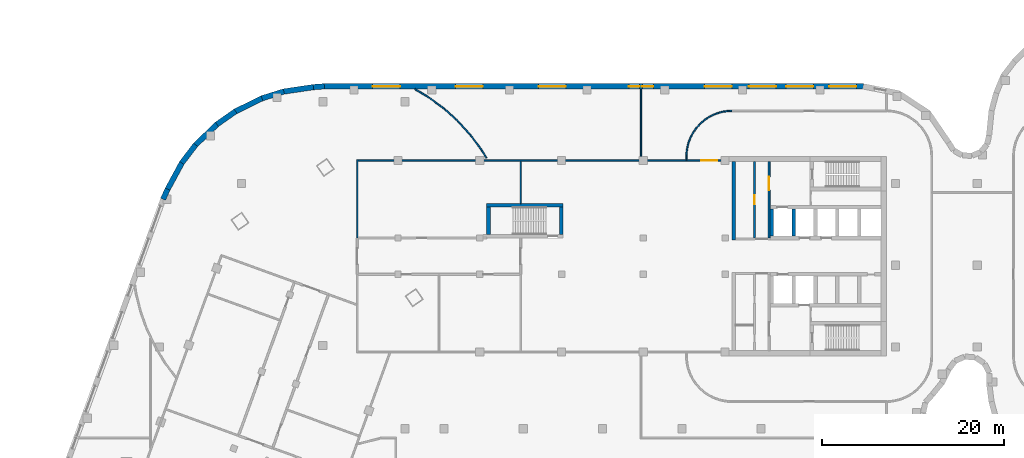
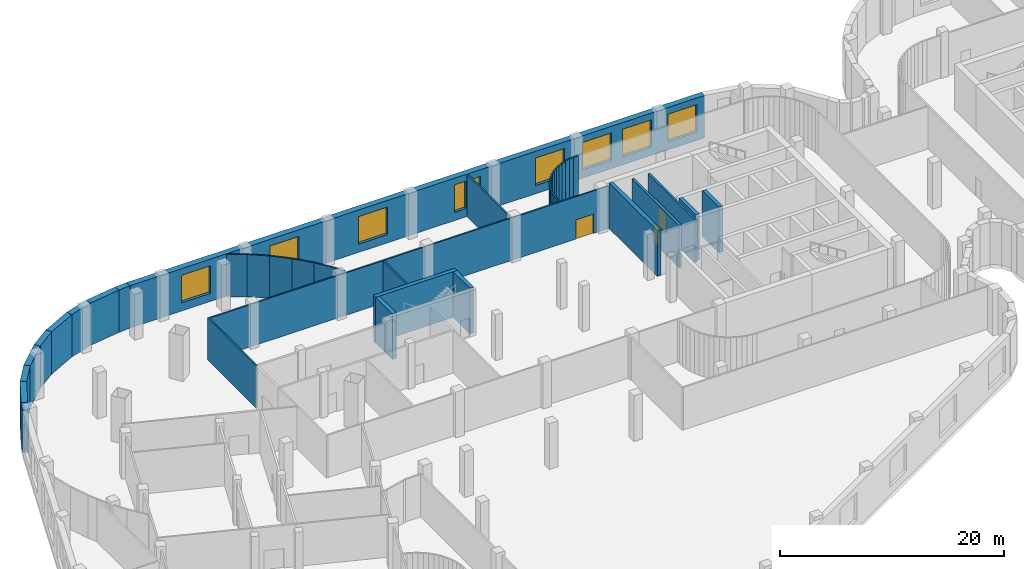
# One storey, part 11 of 18: 45 walls, 9 windows, 3 doors, 12 openings.
"""IFC4 building model written with IfcOpenShell, lengths in metres."""

from ifc_helpers import new_model, si_unit, direction, frame, frame_2d, origin, place, context, subcontext, project, spatial, rectangle, extrude, material, layer, layer_set, type_object, element, fill, save


model = new_model("IFC4")

# Units and contexts
model_context = context("Model", 3, precision=1e-05, world=origin(), true_north=direction((0.0, 1.0)))
body_context = subcontext(model_context, "Body", "Model", "MODEL_VIEW")
ifc_project = project(units=[si_unit("LENGTHUNIT", "METRE"), si_unit("AREAUNIT", "SQUARE_METRE"), si_unit("VOLUMEUNIT", "CUBIC_METRE"), si_unit("PLANEANGLEUNIT", "RADIAN"), si_unit("MASSUNIT", "GRAM", prefix="KILO")], contexts=[model_context])

# Site, building, storey
site_placement = place(None, origin())
site = spatial("IfcSite", under=ifc_project, at=site_placement, CompositionType="ELEMENT")
building_placement = place(site_placement, origin())
building = spatial("IfcBuilding", under=site, at=building_placement, Name="Skarvind Civic Tower", CompositionType="ELEMENT")
storey_placement = place(building_placement, frame((0.0, 0.0, 22.5)))
storey = spatial("IfcBuildingStorey", under=building, at=storey_placement, Name="L04", CompositionType="ELEMENT", Elevation=22.5)

# Wall, opening, door
ifc_material_1 = material(Name="Fire-rated masonry partition", Category="masonry")
ifc_layer_1 = layer(ifc_material_1, 0.199951171875)
ifc_layer_set_1 = layer_set([ifc_layer_1], Name="Core enclosure wall 200")
wall_type_1 = type_object("IfcWallType", Name="Core enclosure wall 200", PredefinedType="PARTITIONING", material=ifc_layer_set_1)
wall_1_placement = place(storey_placement, frame((95.10009765625, 130.0, 0.0), z_axis=(0.0, 0.0, 1.0), x_axis=(0.0, 1.0, 0.0)))
wall_1 = element("IfcWall", 1, at=wall_1_placement, inside=storey, type_object=wall_type_1, Name="Core wall C1", PredefinedType="PARTITIONING", context=body_context, shape_type="SweptSolid", body=[
    extrude(rectangle(XDim=8.39990234375, YDim=0.199951171875, at=frame_2d((4.199951171875, 0.0))), origin(), (0.0, 0.0, 1.0), 4.625),
])
opening_1_placement = place(wall_1_placement, frame((5.25, 0.0, 0.0)))
opening_1 = element("IfcOpeningElement", 2, at=opening_1_placement, cuts=wall_1, Name="Opening D-L04-C1-12", PredefinedType="OPENING", context=body_context, shape_type="SweptSolid", body=[
    extrude(rectangle(XDim=1.5, YDim=2.10009765625, at=frame_2d((0.75, 1.050048828125))), frame((0.0, 0.10986328125, 0.0), z_axis=(0.0, -1.0, 0.0), x_axis=(1.0, 0.0, 0.0)), (0.0, 0.0, 1.0), 0.219970703125),
])
ifc_material_2 = material(Name="Fire-rated steel door", Category="steel")
door_type_1 = type_object("IfcDoorType", Name="Fire door 1500", OperationType="NOTDEFINED", PredefinedType="DOOR", material=ifc_material_2)
door_1_placement = place(opening_1_placement, origin())
door_1 = element("IfcDoor", 3, at=door_1_placement, inside=storey, type_object=door_type_1, Name="Fire door", OperationType="DOUBLE_DOOR_SINGLE_SWING", OverallHeight=2.10009765625, OverallWidth=1.5, PredefinedType="DOOR", context=body_context, shape_type="SweptSolid", body=[
    extrude(rectangle(XDim=1.5, YDim=2.10009765625, at=frame_2d((0.75, 1.050048828125))), frame((0.0, 0.02490234375, 0.0), z_axis=(0.0, -1.0, 0.0), x_axis=(1.0, 0.0, 0.0)), (0.0, 0.0, 1.0), 0.050048828125),
])
fill(opening_1, door_1)

# Walls
ifc_material_3 = material(Name="Concrete C80", Category="concrete")
ifc_layer_2 = layer(ifc_material_3, 0.39990234375)
ifc_layer_set_2 = layer_set([ifc_layer_2], Name="Core wall 400 C80")
wall_type_2 = type_object("IfcWallType", Name="Core wall 400 C80", PredefinedType="SHEAR", material=ifc_layer_set_2)
for number, where, z_axis, x_axis, name in (
    (4, (97.800048828125, 133.199951171875, 0.0), (0.0, 0.0, 1.0), (0.0, -1.0, 0.0), "Core wall C1 south lift row division 4 L04"),
    (5, (95.39990234375, 133.199951171875, 0.0), (0.0, 0.0, 1.0), (0.0, -1.0, 0.0), "Core wall C1 south lift row division 5 L04"),
):
    element("IfcWall", number, at=place(storey_placement, frame(where, z_axis=z_axis, x_axis=x_axis)), inside=storey, type_object=wall_type_2, Name=name, PredefinedType="SHEAR", context=body_context, shape_type="SweptSolid", body=[
        extrude(rectangle(XDim=3.0, YDim=0.39990234375, at=frame_2d((1.5, 0.0))), origin(), (0.0, 0.0, 1.0), 5.0),
    ])
wall_2_placement = place(storey_placement, frame((91.199951171875, 138.39990234375, 0.0), z_axis=(0.0, 0.0, 1.0), x_axis=(0.0, -1.0, 0.0)))
element("IfcWall", 6, at=wall_2_placement, inside=storey, type_object=wall_type_2, Name="Core wall C1 south inner face L04", PredefinedType="SHEAR", context=body_context, shape_type="SweptSolid", body=[
    extrude(rectangle(XDim=8.599853515625, YDim=0.39990234375, at=frame_2d((4.2998046875, 0.0))), origin(), (0.0, 0.0, 1.0), 5.0),
])
wall_3_placement = place(storey_placement, frame((64.0, 133.60009765625, 0.0), z_axis=(0.0, 0.0, 1.0), x_axis=(1.0, 0.0, 0.0)))
element("IfcWall", 7, at=wall_3_placement, inside=storey, type_object=wall_type_2, Name="Core wall CM outer L04", PredefinedType="SHEAR", context=body_context, shape_type="SweptSolid", body=[
    extrude(rectangle(XDim=8.39990234375, YDim=0.39990234375, at=frame_2d((4.199951171875, 0.0))), origin(), (0.0, 0.0, 1.0), 5.0),
])
for number, where, z_axis, x_axis, name in (
    (8, (64.199951171875, 130.39990234375, 0.0), (0.0, 0.0, 1.0), (0.0, 1.0, 0.0), "Core wall CM west L04"),
    (9, (72.199951171875, 130.39990234375, 0.0), (0.0, 0.0, 1.0), (0.0, 1.0, 0.0), "Core wall CM end L04"),
):
    element("IfcWall", number, at=place(storey_placement, frame(where, z_axis=z_axis, x_axis=x_axis)), inside=storey, type_object=wall_type_2, Name=name, PredefinedType="SHEAR", context=body_context, shape_type="SweptSolid", body=[
        extrude(rectangle(XDim=3.0, YDim=0.39990234375, at=frame_2d((1.5, 0.0))), origin(), (0.0, 0.0, 1.0), 5.0),
    ])
ifc_material_4 = material(Name="Plasterboard partition on steel studs", Category="steel")
ifc_layer_3 = layer(ifc_material_4, 0.14990234375)
ifc_layer_set_3 = layer_set([ifc_layer_3], Name="PARTITION 150")
wall_type_3 = type_object("IfcWallType", Name="PARTITION 150", PredefinedType="PARTITIONING", material=ifc_layer_set_3)
wall_4_placement = place(storey_placement, frame((49.75, 130.0, 0.0), z_axis=(0.0, 0.0, 1.0), x_axis=(0.0, 1.0, 0.0)))
element("IfcWall", 10, at=wall_4_placement, inside=storey, type_object=wall_type_3, Name="Podium partition L04 102", PredefinedType="PARTITIONING", context=body_context, shape_type="SweptSolid", body=[
    extrude(rectangle(XDim=8.625, YDim=0.14990234375, at=frame_2d((4.3125, 0.0))), origin(), (0.0, 0.0, 1.0), 4.625),
])

# Wall, opening, door
wall_5_placement = place(storey_placement, frame((49.824951171875, 138.550048828125, 0.0), z_axis=(0.0, 0.0, 1.0), x_axis=(1.0, 0.0, 0.0)))
wall_5 = element("IfcWall", 11, at=wall_5_placement, inside=storey, type_object=wall_type_3, Name="Podium partition L04 104", PredefinedType="PARTITIONING", context=body_context, shape_type="SweptSolid", body=[
    extrude(rectangle(XDim=41.175048828125, YDim=0.14990234375, at=frame_2d((20.58740234375, 0.0))), origin(), (0.0, 0.0, 1.0), 4.625),
])
opening_2_placement = place(wall_5_placement, frame((37.77490234375, 0.0, 0.0)))
opening_2 = element("IfcOpeningElement", 12, at=opening_2_placement, cuts=wall_5, Name="Opening L04-D217", PredefinedType="OPENING", context=body_context, shape_type="SweptSolid", body=[
    extrude(rectangle(XDim=1.800048828125, YDim=2.10009765625, at=frame_2d((0.89990234375, 1.050048828125))), frame((0.0, 0.0849609375, 0.0), z_axis=(0.0, -1.0, 0.0), x_axis=(1.0, 0.0, 0.0)), (0.0, 0.0, 1.0), 0.169921875),
])
ifc_material_5 = material(Name="Timber veneer door leaf", Category="wood")
door_type_2 = type_object("IfcDoorType", Name="DOOR 1800X2100 DOUBLE TIMBER", OperationType="NOTDEFINED", PredefinedType="DOOR", material=ifc_material_5)
door_2_placement = place(opening_2_placement, origin())
door_2 = element("IfcDoor", 13, at=door_2_placement, inside=storey, type_object=door_type_2, Name="DOOR DOOR", OperationType="DOUBLE_DOOR_SINGLE_SWING", OverallHeight=2.10009765625, OverallWidth=1.800048828125, PredefinedType="DOOR", context=body_context, shape_type="SweptSolid", body=[
    extrude(rectangle(XDim=1.800048828125, YDim=2.10009765625, at=frame_2d((0.89990234375, 1.050048828125))), frame((0.0, 0.02490234375, 0.0), z_axis=(0.0, -1.0, 0.0), x_axis=(1.0, 0.0, 0.0)), (0.0, 0.0, 1.0), 0.050048828125),
])
fill(opening_2, door_2)

# Walls
wall_6_placement = place(storey_placement, frame((56.10009765625, 146.39990234375, 0.0), z_axis=(0.0, 0.0, 1.0), x_axis=(0.857728238456, -0.514103364076, 0.0)))
element("IfcWall", 14, at=wall_6_placement, inside=storey, type_object=wall_type_3, Name="Podium partition L04 116", PredefinedType="PARTITIONING", context=body_context, shape_type="SweptSolid", body=[
    extrude(rectangle(XDim=1.830322265625, YDim=0.14990234375, at=frame_2d((0.9150390625, 0.0))), origin(), (0.0, 0.0, 1.0), 4.625),
])
wall_7_placement = place(storey_placement, frame((57.6640625, 145.462890625, 0.0), z_axis=(0.0, 0.0, 1.0), x_axis=(0.80317638599, -0.595741297031, 0.0)))
element("IfcWall", 15, at=wall_7_placement, inside=storey, type_object=wall_type_3, Name="Podium partition L04 117", PredefinedType="PARTITIONING", context=body_context, shape_type="SweptSolid", body=[
    extrude(rectangle(XDim=2.06787109375, YDim=0.14990234375, at=frame_2d((1.033935546875, 0.0))), origin(), (0.0, 0.0, 1.0), 4.625),
])
for number, where, z_axis, x_axis, name in (
    (16, (59.319091796875, 144.235107421875, 0.0), (0.0, 0.0, 1.0), (0.741242052621, -0.671237826278, 0.0), "Podium partition L04 119"),
    (17, (60.846923828125, 142.85205078125, 0.0), (0.0, 0.0, 1.0), (0.671237826278, -0.741242052621, 0.0), "Podium partition L04 120"),
):
    element("IfcWall", number, at=place(storey_placement, frame(where, z_axis=z_axis, x_axis=x_axis)), inside=storey, type_object=wall_type_3, Name=name, PredefinedType="PARTITIONING", context=body_context, shape_type="SweptSolid", body=[
        extrude(rectangle(XDim=2.068115234375, YDim=0.14990234375, at=frame_2d((1.0341796875, 0.0))), origin(), (0.0, 0.0, 1.0), 4.625),
    ])
wall_8_placement = place(storey_placement, frame((62.23095703125, 141.324951171875, 0.0), z_axis=(0.0, 0.0, 1.0), x_axis=(0.595741297031, -0.80317638599, 0.0)))
element("IfcWall", 18, at=wall_8_placement, inside=storey, type_object=wall_type_3, Name="Podium partition L04 121", PredefinedType="PARTITIONING", context=body_context, shape_type="SweptSolid", body=[
    extrude(rectangle(XDim=2.06787109375, YDim=0.14990234375, at=frame_2d((1.033935546875, 0.0))), origin(), (0.0, 0.0, 1.0), 4.625),
])
wall_9_placement = place(storey_placement, frame((63.458984375, 139.669921875, 0.0), z_axis=(0.0, 0.0, 1.0), x_axis=(0.514106720628, -0.857726226604, 0.0)))
element("IfcWall", 19, at=wall_9_placement, inside=storey, type_object=wall_type_3, Name="Podium partition L04 122", PredefinedType="PARTITIONING", context=body_context, shape_type="SweptSolid", body=[
    extrude(rectangle(XDim=1.015380859375, YDim=0.14990234375, at=frame_2d((0.5078125, 0.0))), origin(), (0.0, 0.0, 1.0), 4.625),
])
wall_10_placement = place(storey_placement, frame((67.75, 133.800048828125, 0.0), z_axis=(0.0, 0.0, 1.0), x_axis=(0.0, 1.0, 0.0)))
element("IfcWall", 20, at=wall_10_placement, inside=storey, type_object=wall_type_3, Name="Podium partition L04 126", PredefinedType="PARTITIONING", context=body_context, shape_type="SweptSolid", body=[
    extrude(rectangle(XDim=4.675048828125, YDim=0.14990234375, at=frame_2d((2.33740234375, 0.0))), origin(), (0.0, 0.0, 1.0), 4.625),
])
wall_11_placement = place(storey_placement, frame((81.0, 138.625, 0.0), z_axis=(0.0, 0.0, 1.0), x_axis=(0.0, 1.0, 0.0)))
element("IfcWall", 21, at=wall_11_placement, inside=storey, type_object=wall_type_3, Name="Podium partition L04 129", PredefinedType="PARTITIONING", context=body_context, shape_type="SweptSolid", body=[
    extrude(rectangle(XDim=7.77490234375, YDim=0.14990234375, at=frame_2d((3.887451171875, 0.0))), origin(), (0.0, 0.0, 1.0), 4.625),
])
wall_12_placement = place(storey_placement, frame((86.0, 138.625, 0.0), z_axis=(0.0, 0.0, 1.0), x_axis=(0.0, 1.0, 0.0)))
element("IfcWall", 22, at=wall_12_placement, inside=storey, type_object=wall_type_3, Name="Podium partition L04 132", PredefinedType="PARTITIONING", context=body_context, shape_type="SweptSolid", body=[
    extrude(rectangle(XDim=0.376953125, YDim=0.14990234375, at=frame_2d((0.1884765625, 0.0))), origin(), (0.0, 0.0, 1.0), 4.625),
])
wall_13_placement = place(storey_placement, frame((86.0, 138.998046875, 0.0), z_axis=(0.0, 0.0, 1.0), x_axis=(0.048196018647, 0.998837896651, 0.0)))
element("IfcWall", 23, at=wall_13_placement, inside=storey, type_object=wall_type_3, Name="Podium partition L04 133", PredefinedType="PARTITIONING", context=body_context, shape_type="SweptSolid", body=[
    extrude(rectangle(XDim=0.496337890625, YDim=0.14990234375, at=frame_2d((0.248046875, 0.0))), origin(), (0.0, 0.0, 1.0), 4.625),
])
wall_14_placement = place(storey_placement, frame((86.02294921875, 139.486083984375, 0.0), z_axis=(0.0, 0.0, 1.0), x_axis=(0.148412307247, 0.988925572052, 0.0)))
element("IfcWall", 24, at=wall_14_placement, inside=storey, type_object=wall_type_3, Name="Podium partition L04 135", PredefinedType="PARTITIONING", context=body_context, shape_type="SweptSolid", body=[
    extrude(rectangle(XDim=0.49853515625, YDim=0.14990234375, at=frame_2d((0.249267578125, 0.0))), origin(), (0.0, 0.0, 1.0), 4.625),
])
wall_15_placement = place(storey_placement, frame((86.094970703125, 139.970947265625, 0.0), z_axis=(0.0, 0.0, 1.0), x_axis=(0.242650732785, 0.970113715952, 0.0)))
element("IfcWall", 25, at=wall_15_placement, inside=storey, type_object=wall_type_3, Name="Podium partition L04 137", PredefinedType="PARTITIONING", context=body_context, shape_type="SweptSolid", body=[
    extrude(rectangle(XDim=0.4990234375, YDim=0.14990234375, at=frame_2d((0.24951171875, 0.0))), origin(), (0.0, 0.0, 1.0), 4.625),
])
for number, where, z_axis, x_axis, name in (
    (26, (86.214111328125, 140.447021484375, 0.0), (0.0, 0.0, 1.0), (0.3371744988, 0.941442168887, 0.0), "Podium partition L04 139"),
    (27, (86.37890625, 140.909912109375, 0.0), (0.0, 0.0, 1.0), (0.427896709028, 0.903827641978, 0.0), "Podium partition L04 141"),
):
    element("IfcWall", number, at=place(storey_placement, frame(where, z_axis=z_axis, x_axis=x_axis)), inside=storey, type_object=wall_type_3, Name=name, PredefinedType="PARTITIONING", context=body_context, shape_type="SweptSolid", body=[
        extrude(rectangle(XDim=0.498046875, YDim=0.14990234375, at=frame_2d((0.2490234375, 0.0))), origin(), (0.0, 0.0, 1.0), 4.625),
    ])
wall_16_placement = place(storey_placement, frame((86.587890625, 141.35400390625, 0.0), z_axis=(0.0, 0.0, 1.0), x_axis=(0.515791778052, 0.85671397893, 0.0)))
element("IfcWall", 28, at=wall_16_placement, inside=storey, type_object=wall_type_3, Name="Podium partition L04 143", PredefinedType="PARTITIONING", context=body_context, shape_type="SweptSolid", body=[
    extrude(rectangle(XDim=0.49853515625, YDim=0.14990234375, at=frame_2d((0.249267578125, 0.0))), origin(), (0.0, 0.0, 1.0), 4.625),
])
wall_17_placement = place(storey_placement, frame((86.841064453125, 141.77490234375, 0.0), z_axis=(0.0, 0.0, 1.0), x_axis=(0.594570362092, 0.80404358372, 0.0)))
element("IfcWall", 29, at=wall_17_placement, inside=storey, type_object=wall_type_3, Name="Podium partition L04 145", PredefinedType="PARTITIONING", context=body_context, shape_type="SweptSolid", body=[
    extrude(rectangle(XDim=0.49755859375, YDim=0.14990234375, at=frame_2d((0.248779296875, 0.0))), origin(), (0.0, 0.0, 1.0), 4.625),
])
for number, where, z_axis, x_axis, name in (
    (30, (87.133056640625, 142.1689453125, 0.0), (0.0, 0.0, 1.0), (0.66993818776, 0.742416880587, 0.0), "Podium partition L04 147"),
    (31, (87.4609375, 142.532958984375, 0.0), (0.0, 0.0, 1.0), (0.742416880587, 0.66993818776, 0.0), "Podium partition L04 149"),
):
    element("IfcWall", number, at=place(storey_placement, frame(where, z_axis=z_axis, x_axis=x_axis)), inside=storey, type_object=wall_type_3, Name=name, PredefinedType="PARTITIONING", context=body_context, shape_type="SweptSolid", body=[
        extrude(rectangle(XDim=0.49853515625, YDim=0.14990234375, at=frame_2d((0.249267578125, 0.0))), origin(), (0.0, 0.0, 1.0), 4.625),
    ])
wall_18_placement = place(storey_placement, frame((87.824951171875, 142.863037109375, 0.0), z_axis=(0.0, 0.0, 1.0), x_axis=(0.80404358372, 0.594570362092, 0.0)))
element("IfcWall", 32, at=wall_18_placement, inside=storey, type_object=wall_type_3, Name="Podium partition L04 151", PredefinedType="PARTITIONING", context=body_context, shape_type="SweptSolid", body=[
    extrude(rectangle(XDim=0.49755859375, YDim=0.14990234375, at=frame_2d((0.248779296875, 0.0))), origin(), (0.0, 0.0, 1.0), 4.625),
])
wall_19_placement = place(storey_placement, frame((88.218994140625, 143.155029296875, 0.0), z_axis=(0.0, 0.0, 1.0), x_axis=(0.85671397893, 0.515791778052, 0.0)))
element("IfcWall", 33, at=wall_19_placement, inside=storey, type_object=wall_type_3, Name="Podium partition L04 153", PredefinedType="PARTITIONING", context=body_context, shape_type="SweptSolid", body=[
    extrude(rectangle(XDim=0.49853515625, YDim=0.14990234375, at=frame_2d((0.249267578125, 0.0))), origin(), (0.0, 0.0, 1.0), 4.625),
])
for number, where, z_axis, x_axis, name in (
    (34, (88.639892578125, 143.407958984375, 0.0), (0.0, 0.0, 1.0), (0.903827641978, 0.427896709028, 0.0), "Podium partition L04 155"),
    (35, (89.083984375, 143.617919921875, 0.0), (0.0, 0.0, 1.0), (0.941442168887, 0.3371744988, 0.0), "Podium partition L04 157"),
):
    element("IfcWall", number, at=place(storey_placement, frame(where, z_axis=z_axis, x_axis=x_axis)), inside=storey, type_object=wall_type_3, Name=name, PredefinedType="PARTITIONING", context=body_context, shape_type="SweptSolid", body=[
        extrude(rectangle(XDim=0.498046875, YDim=0.14990234375, at=frame_2d((0.2490234375, 0.0))), origin(), (0.0, 0.0, 1.0), 4.625),
    ])
wall_20_placement = place(storey_placement, frame((89.544921875, 143.783935546875, 0.0), z_axis=(0.0, 0.0, 1.0), x_axis=(0.970113715952, 0.242650732785, 0.0)))
element("IfcWall", 36, at=wall_20_placement, inside=storey, type_object=wall_type_3, Name="Podium partition L04 159", PredefinedType="PARTITIONING", context=body_context, shape_type="SweptSolid", body=[
    extrude(rectangle(XDim=0.4990234375, YDim=0.14990234375, at=frame_2d((0.24951171875, 0.0))), origin(), (0.0, 0.0, 1.0), 4.625),
])
wall_21_placement = place(storey_placement, frame((90.02099609375, 143.903076171875, 0.0), z_axis=(0.0, 0.0, 1.0), x_axis=(0.988925572052, 0.148412307247, 0.0)))
element("IfcWall", 37, at=wall_21_placement, inside=storey, type_object=wall_type_3, Name="Podium partition L04 161", PredefinedType="PARTITIONING", context=body_context, shape_type="SweptSolid", body=[
    extrude(rectangle(XDim=0.49853515625, YDim=0.14990234375, at=frame_2d((0.249267578125, 0.0))), origin(), (0.0, 0.0, 1.0), 4.625),
])
wall_22_placement = place(storey_placement, frame((90.506103515625, 143.97607421875, 0.0), z_axis=(0.0, 0.0, 1.0), x_axis=(0.998837896651, 0.048196018647, 0.0)))
element("IfcWall", 38, at=wall_22_placement, inside=storey, type_object=wall_type_3, Name="Podium partition L04 163", PredefinedType="PARTITIONING", context=body_context, shape_type="SweptSolid", body=[
    extrude(rectangle(XDim=0.496337890625, YDim=0.14990234375, at=frame_2d((0.248046875, 0.0))), origin(), (0.0, 0.0, 1.0), 4.625),
])

# Wall, opening, door
ifc_layer_4 = layer(ifc_material_1, 0.25)
ifc_layer_set_4 = layer_set([ifc_layer_4], Name="Service block wall 250")
wall_type_4 = type_object("IfcWallType", Name="Service block wall 250", PredefinedType="PARTITIONING", material=ifc_layer_set_4)
wall_23_placement = place(storey_placement, frame((93.47509765625, 130.0, 0.0), z_axis=(0.0, 0.0, 1.0), x_axis=(0.0, 1.0, 0.0)))
wall_23 = element("IfcWall", 39, at=wall_23_placement, inside=storey, type_object=wall_type_4, Name="Core wall C1", PredefinedType="PARTITIONING", context=body_context, shape_type="SweptSolid", body=[
    extrude(rectangle(XDim=8.39990234375, YDim=0.25, at=frame_2d((4.199951171875, 0.0))), origin(), (0.0, 0.0, 1.0), 4.625),
])
opening_3_placement = place(wall_23_placement, frame((3.699951171875, 0.0, 0.0)))
opening_3 = element("IfcOpeningElement", 40, at=opening_3_placement, cuts=wall_23, Name="Opening D-L04-C1-15", PredefinedType="OPENING", context=body_context, shape_type="SweptSolid", body=[
    extrude(rectangle(XDim=1.0, YDim=2.10009765625, at=frame_2d((0.5, 1.050048828125))), frame((0.0, 0.135009765625, 0.0), z_axis=(0.0, -1.0, 0.0), x_axis=(1.0, 0.0, 0.0)), (0.0, 0.0, 1.0), 0.27001953125),
])
door_type_3 = type_object("IfcDoorType", Name="Fire door 1000", OperationType="NOTDEFINED", PredefinedType="DOOR", material=ifc_material_2)
door_3_placement = place(opening_3_placement, origin())
door_3 = element("IfcDoor", 41, at=door_3_placement, inside=storey, type_object=door_type_3, Name="Fire door", OperationType="SINGLE_SWING_RIGHT", OverallHeight=2.10009765625, OverallWidth=1.0, PredefinedType="DOOR", context=body_context, shape_type="SweptSolid", body=[
    extrude(rectangle(XDim=1.0, YDim=2.10009765625, at=frame_2d((0.5, 1.050048828125))), frame((0.0, 0.02490234375, 0.0), z_axis=(0.0, -1.0, 0.0), x_axis=(1.0, 0.0, 0.0)), (0.0, 0.0, 1.0), 0.050048828125),
])
fill(opening_3, door_3)

# Wall, openings, windows
ifc_material_6 = material(Name="Limestone masonry cladding on insulated backing", Category="masonry")
ifc_layer_5 = layer(ifc_material_6, 0.60009765625)
ifc_layer_set_5 = layer_set([ifc_layer_5], Name="WX1 STONE FACADE WALL 600")
wall_type_5 = type_object("IfcWallType", Name="WX1 STONE FACADE WALL 600", PredefinedType="SOLIDWALL", material=ifc_layer_set_5)
wall_24_placement = place(storey_placement, frame((46.114013671875, 146.699951171875, 0.0), z_axis=(0.0, 0.0, 1.0), x_axis=(1.0, 0.0, 0.0)))
wall_24 = element("IfcWall", 42, at=wall_24_placement, inside=storey, type_object=wall_type_5, Name="STONE FACADE WALL", PredefinedType="SOLIDWALL", context=body_context, shape_type="SweptSolid", body=[
    extrude(rectangle(XDim=59.3642578125, YDim=0.60009765625, at=frame_2d((29.68212890625, 0.0))), origin(), (0.0, 0.0, 1.0), 4.625),
])
opening_4_placement = place(wall_24_placement, frame((5.349609375, 0.0, 0.89990234375)))
opening_4 = element("IfcOpeningElement", 43, at=opening_4_placement, cuts=wall_24, Name="Opening WN2", PredefinedType="OPENING", context=body_context, shape_type="SweptSolid", body=[
    extrude(rectangle(XDim=3.0, YDim=3.0, at=frame_2d((1.5, 1.5))), frame((0.0, 0.31005859375, 0.0), z_axis=(0.0, -1.0, 0.0), x_axis=(1.0, 0.0, 0.0)), (0.0, 0.0, 1.0), 0.6201171875),
])
opening_5_placement = place(wall_24_placement, frame((14.482666015625, 0.0, 0.89990234375)))
opening_5 = element("IfcOpeningElement", 44, at=opening_5_placement, cuts=wall_24, Name="Opening WN2", PredefinedType="OPENING", context=body_context, shape_type="SweptSolid", body=[
    extrude(rectangle(XDim=3.0, YDim=3.0, at=frame_2d((1.5, 1.5))), frame((0.0, 0.31005859375, 0.0), z_axis=(0.0, -1.0, 0.0), x_axis=(1.0, 0.0, 0.0)), (0.0, 0.0, 1.0), 0.6201171875),
])
opening_6_placement = place(wall_24_placement, frame((23.615478515625, 0.0, 0.89990234375)))
opening_6 = element("IfcOpeningElement", 45, at=opening_6_placement, cuts=wall_24, Name="Opening WN2", PredefinedType="OPENING", context=body_context, shape_type="SweptSolid", body=[
    extrude(rectangle(XDim=3.0, YDim=3.0, at=frame_2d((1.5, 1.5))), frame((0.0, 0.31005859375, 0.0), z_axis=(0.0, -1.0, 0.0), x_axis=(1.0, 0.0, 0.0)), (0.0, 0.0, 1.0), 0.6201171875),
])
opening_7_placement = place(wall_24_placement, frame((33.5361328125, 0.0, 0.89990234375)))
opening_7 = element("IfcOpeningElement", 46, at=opening_7_placement, cuts=wall_24, Name="Opening WN6", PredefinedType="OPENING", context=body_context, shape_type="SweptSolid", body=[
    extrude(rectangle(XDim=1.199951171875, YDim=3.0, at=frame_2d((0.60009765625, 1.5))), frame((0.0, 0.31005859375, 0.0), z_axis=(0.0, -1.0, 0.0), x_axis=(1.0, 0.0, 0.0)), (0.0, 0.0, 1.0), 0.6201171875),
])
opening_8_placement = place(wall_24_placement, frame((35.0361328125, 0.0, 0.89990234375)))
opening_8 = element("IfcOpeningElement", 47, at=opening_8_placement, cuts=wall_24, Name="Opening WN6", PredefinedType="OPENING", context=body_context, shape_type="SweptSolid", body=[
    extrude(rectangle(XDim=1.199951171875, YDim=3.0, at=frame_2d((0.60009765625, 1.5))), frame((0.0, 0.31005859375, 0.0), z_axis=(0.0, -1.0, 0.0), x_axis=(1.0, 0.0, 0.0)), (0.0, 0.0, 1.0), 0.6201171875),
])
opening_9_placement = place(wall_24_placement, frame((41.881591796875, 0.0, 0.89990234375)))
opening_9 = element("IfcOpeningElement", 48, at=opening_9_placement, cuts=wall_24, Name="Opening WN2", PredefinedType="OPENING", context=body_context, shape_type="SweptSolid", body=[
    extrude(rectangle(XDim=3.0, YDim=3.0, at=frame_2d((1.5, 1.5))), frame((0.0, 0.31005859375, 0.0), z_axis=(0.0, -1.0, 0.0), x_axis=(1.0, 0.0, 0.0)), (0.0, 0.0, 1.0), 0.6201171875),
])
opening_10_placement = place(wall_24_placement, frame((46.748046875, 0.0, 0.89990234375)))
opening_10 = element("IfcOpeningElement", 49, at=opening_10_placement, cuts=wall_24, Name="Opening WN2", PredefinedType="OPENING", context=body_context, shape_type="SweptSolid", body=[
    extrude(rectangle(XDim=3.0, YDim=3.0, at=frame_2d((1.5, 1.5))), frame((0.0, 0.31005859375, 0.0), z_axis=(0.0, -1.0, 0.0), x_axis=(1.0, 0.0, 0.0)), (0.0, 0.0, 1.0), 0.6201171875),
])
opening_11_placement = place(wall_24_placement, frame((50.864501953125, 0.0, 0.89990234375)))
opening_11 = element("IfcOpeningElement", 50, at=opening_11_placement, cuts=wall_24, Name="Opening WN2", PredefinedType="OPENING", context=body_context, shape_type="SweptSolid", body=[
    extrude(rectangle(XDim=3.0, YDim=3.0, at=frame_2d((1.5, 1.5))), frame((0.0, 0.31005859375, 0.0), z_axis=(0.0, -1.0, 0.0), x_axis=(1.0, 0.0, 0.0)), (0.0, 0.0, 1.0), 0.6201171875),
])
opening_12_placement = place(wall_24_placement, frame((55.5810546875, 0.0, 0.89990234375)))
opening_12 = element("IfcOpeningElement", 51, at=opening_12_placement, cuts=wall_24, Name="Opening WN2", PredefinedType="OPENING", context=body_context, shape_type="SweptSolid", body=[
    extrude(rectangle(XDim=3.0, YDim=3.0, at=frame_2d((1.5, 1.5))), frame((0.0, 0.31005859375, 0.0), z_axis=(0.0, -1.0, 0.0), x_axis=(1.0, 0.0, 0.0)), (0.0, 0.0, 1.0), 0.6201171875),
])
ifc_material_7 = material(Name="Timber frame, double glazing, timber-lined reveal", Category="wood")
window_type_1 = type_object("IfcWindowType", Name="WN2 PODIUM STONE WINDOW 3000 x 3000", PartitioningType="SINGLE_PANEL", PredefinedType="WINDOW", material=ifc_material_7)
window_1_placement = place(opening_4_placement, origin())
window_1 = element("IfcWindow", 52, at=window_1_placement, inside=storey, type_object=window_type_1, Name="WN2 WINDOW", OverallHeight=3.0, OverallWidth=3.0, PartitioningType="SINGLE_PANEL", PredefinedType="WINDOW", context=body_context, shape_type="SweptSolid", body=[
    extrude(rectangle(XDim=3.0, YDim=3.0, at=frame_2d((1.5, 1.5))), frame((0.0, 0.030029296875, 0.0), z_axis=(0.0, -1.0, 0.0), x_axis=(1.0, 0.0, 0.0)), (0.0, 0.0, 1.0), 0.06005859375),
])
fill(opening_4, window_1)
window_2_placement = place(opening_5_placement, origin())
window_2 = element("IfcWindow", 53, at=window_2_placement, inside=storey, type_object=window_type_1, Name="WN2 WINDOW", OverallHeight=3.0, OverallWidth=3.0, PartitioningType="SINGLE_PANEL", PredefinedType="WINDOW", context=body_context, shape_type="SweptSolid", body=[
    extrude(rectangle(XDim=3.0, YDim=3.0, at=frame_2d((1.5, 1.5))), frame((0.0, 0.030029296875, 0.0), z_axis=(0.0, -1.0, 0.0), x_axis=(1.0, 0.0, 0.0)), (0.0, 0.0, 1.0), 0.06005859375),
])
fill(opening_5, window_2)
window_3_placement = place(opening_6_placement, origin())
window_3 = element("IfcWindow", 54, at=window_3_placement, inside=storey, type_object=window_type_1, Name="WN2 WINDOW", OverallHeight=3.0, OverallWidth=3.0, PartitioningType="SINGLE_PANEL", PredefinedType="WINDOW", context=body_context, shape_type="SweptSolid", body=[
    extrude(rectangle(XDim=3.0, YDim=3.0, at=frame_2d((1.5, 1.5))), frame((0.0, 0.030029296875, 0.0), z_axis=(0.0, -1.0, 0.0), x_axis=(1.0, 0.0, 0.0)), (0.0, 0.0, 1.0), 0.06005859375),
])
fill(opening_6, window_3)
window_4_placement = place(opening_9_placement, origin())
window_4 = element("IfcWindow", 55, at=window_4_placement, inside=storey, type_object=window_type_1, Name="WN2 WINDOW", OverallHeight=3.0, OverallWidth=3.0, PartitioningType="SINGLE_PANEL", PredefinedType="WINDOW", context=body_context, shape_type="SweptSolid", body=[
    extrude(rectangle(XDim=3.0, YDim=3.0, at=frame_2d((1.5, 1.5))), frame((0.0, 0.030029296875, 0.0), z_axis=(0.0, -1.0, 0.0), x_axis=(1.0, 0.0, 0.0)), (0.0, 0.0, 1.0), 0.06005859375),
])
fill(opening_9, window_4)
window_5_placement = place(opening_10_placement, origin())
window_5 = element("IfcWindow", 56, at=window_5_placement, inside=storey, type_object=window_type_1, Name="WN2 WINDOW", OverallHeight=3.0, OverallWidth=3.0, PartitioningType="SINGLE_PANEL", PredefinedType="WINDOW", context=body_context, shape_type="SweptSolid", body=[
    extrude(rectangle(XDim=3.0, YDim=3.0, at=frame_2d((1.5, 1.5))), frame((0.0, 0.030029296875, 0.0), z_axis=(0.0, -1.0, 0.0), x_axis=(1.0, 0.0, 0.0)), (0.0, 0.0, 1.0), 0.06005859375),
])
fill(opening_10, window_5)
window_6_placement = place(opening_11_placement, origin())
window_6 = element("IfcWindow", 57, at=window_6_placement, inside=storey, type_object=window_type_1, Name="WN2 WINDOW", OverallHeight=3.0, OverallWidth=3.0, PartitioningType="SINGLE_PANEL", PredefinedType="WINDOW", context=body_context, shape_type="SweptSolid", body=[
    extrude(rectangle(XDim=3.0, YDim=3.0, at=frame_2d((1.5, 1.5))), frame((0.0, 0.030029296875, 0.0), z_axis=(0.0, -1.0, 0.0), x_axis=(1.0, 0.0, 0.0)), (0.0, 0.0, 1.0), 0.06005859375),
])
fill(opening_11, window_6)
window_7_placement = place(opening_12_placement, origin())
window_7 = element("IfcWindow", 58, at=window_7_placement, inside=storey, type_object=window_type_1, Name="WN2 WINDOW", OverallHeight=3.0, OverallWidth=3.0, PartitioningType="SINGLE_PANEL", PredefinedType="WINDOW", context=body_context, shape_type="SweptSolid", body=[
    extrude(rectangle(XDim=3.0, YDim=3.0, at=frame_2d((1.5, 1.5))), frame((0.0, 0.030029296875, 0.0), z_axis=(0.0, -1.0, 0.0), x_axis=(1.0, 0.0, 0.0)), (0.0, 0.0, 1.0), 0.06005859375),
])
fill(opening_12, window_7)
window_type_2 = type_object("IfcWindowType", Name="WN6 NARROW PODIUM WINDOW 1200 x 3000", PartitioningType="SINGLE_PANEL", PredefinedType="WINDOW", material=ifc_material_7)
window_8_placement = place(opening_7_placement, origin())
window_8 = element("IfcWindow", 59, at=window_8_placement, inside=storey, type_object=window_type_2, Name="WN6 WINDOW", OverallHeight=3.0, OverallWidth=1.199951171875, PartitioningType="SINGLE_PANEL", PredefinedType="WINDOW", context=body_context, shape_type="SweptSolid", body=[
    extrude(rectangle(XDim=1.199951171875, YDim=3.0, at=frame_2d((0.60009765625, 1.5))), frame((0.0, 0.030029296875, 0.0), z_axis=(0.0, -1.0, 0.0), x_axis=(1.0, 0.0, 0.0)), (0.0, 0.0, 1.0), 0.06005859375),
])
fill(opening_7, window_8)
window_9_placement = place(opening_8_placement, origin())
window_9 = element("IfcWindow", 60, at=window_9_placement, inside=storey, type_object=window_type_2, Name="WN6 WINDOW", OverallHeight=3.0, OverallWidth=1.199951171875, PartitioningType="SINGLE_PANEL", PredefinedType="WINDOW", context=body_context, shape_type="SweptSolid", body=[
    extrude(rectangle(XDim=1.199951171875, YDim=3.0, at=frame_2d((0.60009765625, 1.5))), frame((0.0, 0.030029296875, 0.0), z_axis=(0.0, -1.0, 0.0), x_axis=(1.0, 0.0, 0.0)), (0.0, 0.0, 1.0), 0.06005859375),
])
fill(opening_8, window_9)

# Walls
wall_25_placement = place(storey_placement, frame((44.922607421875, 146.611083984375, 0.0), z_axis=(0.0, 0.0, 1.0), x_axis=(0.997284700817, 0.073642552354, 0.0)))
element("IfcWall", 61, at=wall_25_placement, inside=storey, type_object=wall_type_5, Name="STONE FACADE WALL", PredefinedType="SOLIDWALL", context=body_context, shape_type="SweptSolid", body=[
    extrude(rectangle(XDim=1.216796875, YDim=0.60009765625, at=frame_2d((0.6083984375, 0.0))), origin(), (0.0, 0.0, 1.0), 4.625),
])
wall_26_placement = place(storey_placement, frame((41.63232421875, 146.120849609375, 0.0), z_axis=(0.0, 0.0, 1.0), x_axis=(0.989117960185, 0.14712464389, 0.0)))
element("IfcWall", 62, at=wall_26_placement, inside=storey, type_object=wall_type_5, Name="STONE FACADE WALL", PredefinedType="SOLIDWALL", context=body_context, shape_type="SweptSolid", body=[
    extrude(rectangle(XDim=3.3486328125, YDim=0.60009765625, at=frame_2d((1.67431640625, 0.0))), origin(), (0.0, 0.0, 1.0), 4.625),
])
wall_27_placement = place(storey_placement, frame((39.279541015625, 145.384033203125, 0.0), z_axis=(0.0, 0.0, 1.0), x_axis=(0.954711451083, 0.297533267335, 0.0)))
element("IfcWall", 63, at=wall_27_placement, inside=storey, type_object=wall_type_5, Name="STONE FACADE WALL", PredefinedType="SOLIDWALL", context=body_context, shape_type="SweptSolid", body=[
    extrude(rectangle(XDim=2.51171875, YDim=0.60009765625, at=frame_2d((1.255859375, 0.0))), origin(), (0.0, 0.0, 1.0), 4.625),
])
wall_28_placement = place(storey_placement, frame((36.323486328125, 143.928466796875, 0.0), z_axis=(0.0, 0.0, 1.0), x_axis=(0.897590342017, 0.440830554656, 0.0)))
element("IfcWall", 64, at=wall_28_placement, inside=storey, type_object=wall_type_5, Name="STONE FACADE WALL", PredefinedType="SOLIDWALL", context=body_context, shape_type="SweptSolid", body=[
    extrude(rectangle(XDim=3.34130859375, YDim=0.60009765625, at=frame_2d((1.670654296875, 0.0))), origin(), (0.0, 0.0, 1.0), 4.625),
])
wall_29_placement = place(storey_placement, frame((34.305908203125, 142.511474609375, 0.0), z_axis=(0.0, 0.0, 1.0), x_axis=(0.819136010061, 0.57359933492, 0.0)))
element("IfcWall", 65, at=wall_29_placement, inside=storey, type_object=wall_type_5, Name="STONE FACADE WALL", PredefinedType="SOLIDWALL", context=body_context, shape_type="SweptSolid", body=[
    extrude(rectangle(XDim=2.51171875, YDim=0.60009765625, at=frame_2d((1.255859375, 0.0))), origin(), (0.0, 0.0, 1.0), 4.625),
])
wall_30_placement = place(storey_placement, frame((31.931884765625, 140.226318359375, 0.0), z_axis=(0.0, 0.0, 1.0), x_axis=(0.721175568195, 0.692752336581, 0.0)))
element("IfcWall", 66, at=wall_30_placement, inside=storey, type_object=wall_type_5, Name="STONE FACADE WALL", PredefinedType="SOLIDWALL", context=body_context, shape_type="SweptSolid", body=[
    extrude(rectangle(XDim=3.34130859375, YDim=0.60009765625, at=frame_2d((1.670654296875, 0.0))), origin(), (0.0, 0.0, 1.0), 4.625),
])
wall_31_placement = place(storey_placement, frame((30.440673828125, 138.26318359375, 0.0), z_axis=(0.0, 0.0, 1.0), x_axis=(0.606110577383, 0.795380392004, 0.0)))
element("IfcWall", 67, at=wall_31_placement, inside=storey, type_object=wall_type_5, Name="STONE FACADE WALL", PredefinedType="SOLIDWALL", context=body_context, shape_type="SweptSolid", body=[
    extrude(rectangle(XDim=2.511474609375, YDim=0.60009765625, at=frame_2d((1.255859375, 0.0))), origin(), (0.0, 0.0, 1.0), 4.625),
])
wall_32_placement = place(storey_placement, frame((28.8701171875, 135.35791015625, 0.0), z_axis=(0.0, 0.0, 1.0), x_axis=(0.476510950298, 0.879168535746, 0.0)))
element("IfcWall", 68, at=wall_32_placement, inside=storey, type_object=wall_type_5, Name="STONE FACADE WALL", PredefinedType="SOLIDWALL", context=body_context, shape_type="SweptSolid", body=[
    extrude(rectangle(XDim=3.3486328125, YDim=0.60009765625, at=frame_2d((1.67431640625, 0.0))), origin(), (0.0, 0.0, 1.0), 4.625),
])
wall_33_placement = place(storey_placement, frame((28.380615234375, 134.268310546875, 0.0), z_axis=(0.0, 0.0, 1.0), x_axis=(0.410322962362, 0.911940275763, 0.0)))
element("IfcWall", 69, at=wall_33_placement, inside=storey, type_object=wall_type_5, Name="STONE FACADE WALL", PredefinedType="SOLIDWALL", context=body_context, shape_type="SweptSolid", body=[
    extrude(rectangle(XDim=1.216796875, YDim=0.60009765625, at=frame_2d((0.6083984375, 0.0))), origin(), (0.0, 0.0, 1.0), 4.625),
])

save(model, "model.ifc")
